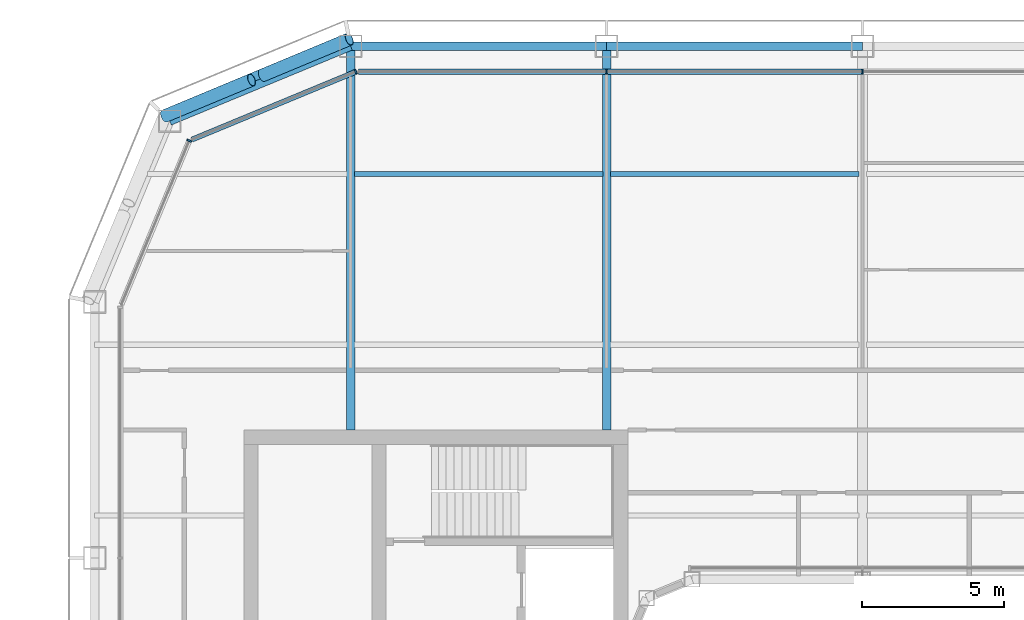
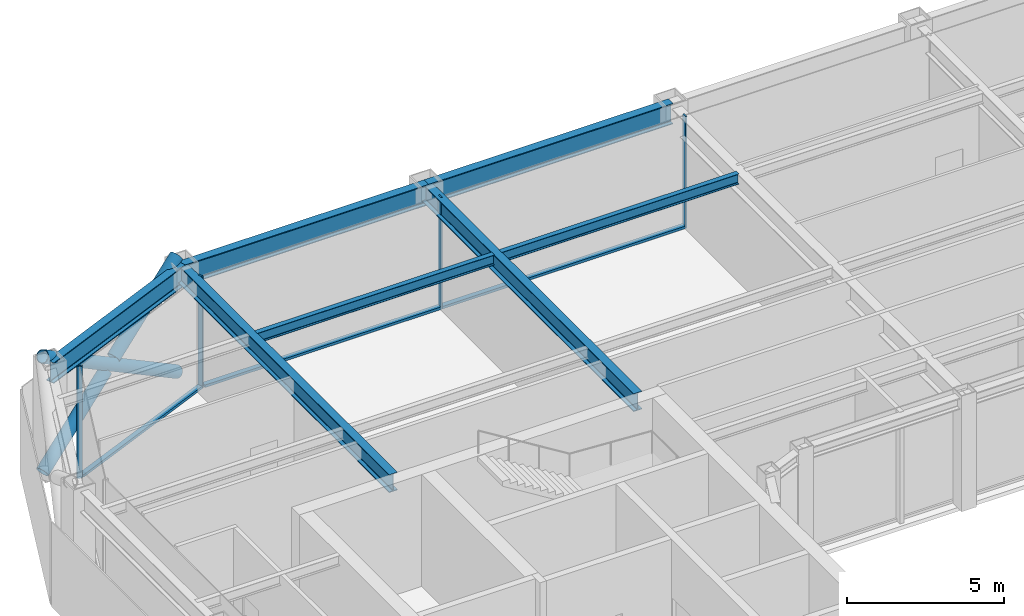
# One storey, part 8 of 23: 10 members, 7 beams, 3 elements without a shape of their own.
"""IFC4 building model written with IfcOpenShell, lengths in metres."""

import ifcopenshell
import ifcopenshell.guid

model = None  # the IFC model being written
_history = None  # IfcOwnerHistory: only IFC2X3 demands one
_inside = {}  # id of a spatial element -> (the spatial element, [elements in it])
_under = {}  # id of a project, library or spatial element -> (it, [spatial elements below it])
_declared = {}  # id of a project -> (the project, [libraries it declares])
_typed = {}  # id of a type object -> (the type object, [elements of that type])
_made_of = {}  # id of a material, layer set ... -> (it, [elements and type objects made of it])


def new_model(schema):
    """Start an empty IFC model of exactly this schema.

    Asked for "IFC4X3", IfcOpenShell would pick the latest addendum, in which some entities
    have other attributes; the version numbers below select the first issue.
    IFC2X3 requires an IfcOwnerHistory on every rooted entity: one is made here for all.
    """
    global model, _history
    if schema == "IFC4X3":
        model = ifcopenshell.file(schema_version=(4, 3, 0, 0))
    else:
        model = ifcopenshell.file(schema=schema)
    _inside.clear()
    _under.clear()
    _declared.clear()
    _typed.clear()
    _made_of.clear()
    _history = None
    if model.schema == "IFC2X3":
        org = make("IfcOrganization", Name="unknown")
        user = make(
            "IfcPersonAndOrganization",
            ThePerson=make("IfcPerson", FamilyName="unknown"),
            TheOrganization=org,
        )
        app = make(
            "IfcApplication",
            ApplicationDeveloper=org,
            Version="unknown",
            ApplicationFullName="unknown",
            ApplicationIdentifier="unknown",
        )
        _history = make(
            "IfcOwnerHistory",
            OwningUser=user,
            OwningApplication=app,
            ChangeAction="ADDED",
            CreationDate=0,
        )
    return model


def make(cls, **values):
    """One entity of the class cls with the attributes given. An attribute that is None is left unset."""
    return model.create_entity(
        cls, **{name: value for name, value in values.items() if value is not None}
    )


def rooted(cls, **values):
    """An entity with a GlobalId (a new one), such as an element, a storey or a relation."""
    return make(cls, GlobalId=ifcopenshell.guid.new(), OwnerHistory=_history, **values)


def si_unit(unit_type, name, prefix=None):
    """IfcSIUnit, for example si_unit("LENGTHUNIT", "METRE", prefix="MILLI")."""
    return make("IfcSIUnit", UnitType=unit_type, Prefix=prefix, Name=name)


def assignment(units):
    """IfcUnitAssignment: the units of a project."""
    return None if units is None else make("IfcUnitAssignment", Units=units)


def point(xyz):
    """IfcCartesianPoint."""
    return None if xyz is None else make("IfcCartesianPoint", Coordinates=xyz)


def direction(xyz):
    """IfcDirection."""
    return None if xyz is None else make("IfcDirection", DirectionRatios=xyz)


def frame(location, z_axis=None, x_axis=None):
    """IfcAxis2Placement3D, a coordinate frame: its origin and axes. An axis left out is left unset."""
    return make(
        "IfcAxis2Placement3D",
        Location=point(location),
        Axis=direction(z_axis),
        RefDirection=direction(x_axis),
    )


def frame_2d(location, x_axis=None):
    """IfcAxis2Placement2D, a coordinate frame in the plane: its origin and x axis."""
    return make(
        "IfcAxis2Placement2D", Location=point(location), RefDirection=direction(x_axis)
    )


def origin():
    """The frame at (0, 0, 0) with its axes left unset."""
    return frame((0.0, 0.0, 0.0))


def origin_2d():
    """The frame at (0, 0) in the plane with its x axis left unset."""
    return frame_2d((0.0, 0.0))


def place(relative_to, where):
    """IfcLocalPlacement: puts the frame where relative to a parent placement (None: the world)."""
    return make(
        "IfcLocalPlacement", PlacementRelTo=relative_to, RelativePlacement=where
    )


def context(
    kind, dimensions, precision=None, world=None, true_north=None, identifier=None
):
    """IfcGeometricRepresentationContext, for example the 3D "Model" context."""
    return make(
        "IfcGeometricRepresentationContext",
        ContextIdentifier=identifier,
        ContextType=kind,
        CoordinateSpaceDimension=dimensions,
        Precision=precision,
        WorldCoordinateSystem=world,
        TrueNorth=true_north,
    )


def subcontext(parent, identifier, kind, view, scale=None):
    """IfcGeometricRepresentationSubContext, for example "Body" below "Model"."""
    return make(
        "IfcGeometricRepresentationSubContext",
        ContextIdentifier=identifier,
        ContextType=kind,
        ParentContext=parent,
        TargetScale=scale,
        TargetView=view,
    )


def project(units=None, contexts=None):
    """IfcProject with its units and contexts."""
    return rooted(
        "IfcProject",
        Name="project",
        RepresentationContexts=contexts,
        UnitsInContext=assignment(units),
    )


def spatial(cls, under=None, at=None, **own):
    """A site, building, storey or space (cls), placed at a placement, below another one or the project."""
    s = rooted(cls, ObjectPlacement=at, **own)
    if under is not None:
        _under.setdefault(under.id(), (under, []))[1].append(s)
    return s


def profile(cls, at=None, kind="AREA", **sizes):
    """A parametric profile (cls). Its sizes go by their IFC names, for example OverallWidth=200.0."""
    return make(cls, ProfileType=kind, Position=at, **sizes)


def rectangle(**sizes):
    """IfcRectangleProfileDef."""
    return profile("IfcRectangleProfileDef", **sizes)


def hollow_circle(**sizes):
    """IfcCircleHollowProfileDef."""
    return profile("IfcCircleHollowProfileDef", **sizes)


def i_section(**sizes):
    """IfcIShapeProfileDef."""
    return profile("IfcIShapeProfileDef", **sizes)


def extrude(swept, where, along, depth):
    """IfcExtrudedAreaSolid: the profile swept, set in the frame where, extruded along a direction by depth."""
    return make(
        "IfcExtrudedAreaSolid",
        SweptArea=swept,
        Position=where,
        ExtrudedDirection=direction(along),
        Depth=depth,
    )


def shape(context_of_items, identifier, shape_type, items):
    """IfcShapeRepresentation: the items that make up one representation, for example the "Body"."""
    return make(
        "IfcShapeRepresentation",
        ContextOfItems=context_of_items,
        RepresentationIdentifier=identifier,
        RepresentationType=shape_type,
        Items=items,
    )


def material(Name=None, Category=None):
    """IfcMaterial."""
    return make("IfcMaterial", Name=Name, Category=Category)


def layer(
    of_material, thickness, ventilated=None, Name=None, Category=None, Priority=None
):
    """IfcMaterialLayer: one layer of a wall or slab, of a material (None: an air gap)."""
    return make(
        "IfcMaterialLayer",
        Material=of_material,
        LayerThickness=thickness,
        IsVentilated=ventilated,
        Name=Name,
        Category=Category,
        Priority=Priority,
    )


def layer_set(layers, Name=None):
    """IfcMaterialLayerSet."""
    return make("IfcMaterialLayerSet", MaterialLayers=layers, LayerSetName=Name)


def material_profile(
    of_material, cross_section, Name=None, Category=None, Priority=None
):
    """IfcMaterialProfile: a cross section and its material."""
    return make(
        "IfcMaterialProfile",
        Name=Name,
        Material=of_material,
        Profile=cross_section,
        Priority=Priority,
        Category=Category,
    )


def profile_set(profiles, Name=None, composite=None):
    """IfcMaterialProfileSet."""
    return make(
        "IfcMaterialProfileSet",
        Name=Name,
        MaterialProfiles=profiles,
        CompositeProfile=composite,
    )


def made_of(thing, what):
    """Note that an element or type object is made of a material, layer set ...; save() writes the relation."""
    if what is not None:
        _made_of.setdefault(what.id(), (what, []))[1].append(thing)
    return thing


def type_object(cls, material=None, **own):
    """A type object (cls), such as IfcWallType, which elements share."""
    return made_of(rooted(cls, **own), material)


def element(
    cls,
    number,
    at=None,
    inside=None,
    cuts=None,
    type_object=None,
    material=None,
    context=None,
    identifier="Body",
    shape_type=None,
    held_by="IfcProductDefinitionShape",
    body=None,
    shapes=None,
    **own,
):
    """One element of the class cls, such as IfcWall. Its Tag is "e" and its number.

    at: its placement. inside: the storey or other place that contains it. cuts: it is an
    opening in that element (IfcRelVoidsElement). A single representation is given by context,
    identifier, shape_type and body (its items); several are given by shapes. held_by: the class
    of the entity that holds the representations. save() writes the other relations.
    """
    e = rooted(cls, Tag="e%d" % number, ObjectPlacement=at, **own)
    if body is not None:
        shapes = [shape(context, identifier, shape_type, body)]
    if shapes is not None:
        e.Representation = make(held_by, Representations=shapes)
    if inside is not None:
        _inside.setdefault(inside.id(), (inside, []))[1].append(e)
    if cuts is not None:
        rooted(
            "IfcRelVoidsElement", RelatingBuildingElement=cuts, RelatedOpeningElement=e
        )
    if type_object is not None:
        _typed.setdefault(type_object.id(), (type_object, []))[1].append(e)
    return made_of(e, material)


def aggregate(whole, parts):
    """IfcRelAggregates: a whole, such as a stair, and the parts it consists of."""
    return rooted("IfcRelAggregates", RelatingObject=whole, RelatedObjects=parts)


def save(model, path):
    """Write the relations noted so far, then the file.

    IfcRelAggregates (storeys below a building ...), IfcRelContainedInSpatialStructure (elements
    in a storey), IfcRelDefinesByType, IfcRelAssociatesMaterial and IfcRelDeclares: one each for
    every whole, place, type object, material and project.
    """
    for whole, parts in _under.values():
        aggregate(whole, parts)
    for where, things in _inside.values():
        rooted(
            "IfcRelContainedInSpatialStructure",
            RelatedElements=things,
            RelatingStructure=where,
        )
    for kind, things in _typed.values():
        rooted("IfcRelDefinesByType", RelatedObjects=things, RelatingType=kind)
    for what, things in _made_of.values():
        rooted("IfcRelAssociatesMaterial", RelatedObjects=things, RelatingMaterial=what)
    for by, libraries in _declared.values():
        rooted("IfcRelDeclares", RelatingContext=by, RelatedDefinitions=libraries)
    model.write(path)


model = new_model("IFC4")

# Units and contexts
model_context = context("Model", 3, precision=1e-05, world=origin(), true_north=direction((0.0, 1.0)))
body_context = subcontext(model_context, "Body", "Model", "MODEL_VIEW")
ifc_project = project(units=[si_unit("LENGTHUNIT", "METRE"), si_unit("AREAUNIT", "SQUARE_METRE"), si_unit("VOLUMEUNIT", "CUBIC_METRE"), si_unit("PLANEANGLEUNIT", "RADIAN"), si_unit("MASSUNIT", "GRAM", prefix="KILO")], contexts=[model_context])

# Site, building, storey
site_placement = place(None, origin())
site = spatial("IfcSite", under=ifc_project, at=site_placement, CompositionType="ELEMENT")
building_placement = place(site_placement, origin())
building = spatial("IfcBuilding", under=site, at=building_placement, Name="Siwar Civic Tower", CompositionType="ELEMENT")
storey_placement = place(building_placement, frame((0.0, 0.0, 269.199951171875)))
storey = spatial("IfcBuildingStorey", under=building, at=storey_placement, Name="L58", CompositionType="ELEMENT", Elevation=269.199951171875)

# Curtain wall, members
ifc_material_1 = material(Name="Aluminium and glass", Category="aluminium")
ifc_layer_1 = layer(ifc_material_1, 0.179931640625)
ifc_layer_set_1 = layer_set([ifc_layer_1], Name="Aluminium and glass")
curtain_wall_type_1 = type_object("IfcCurtainWallType", Name="ENV-CW-C", PredefinedType="NOTDEFINED", material=ifc_layer_set_1)
curtain_wall_1_placement = place(storey_placement, origin())
curtain_wall_1 = element("IfcCurtainWall", 1, at=curtain_wall_1_placement, inside=storey, type_object=curtain_wall_type_1, Name="Curtain wall C N", PredefinedType="NOTDEFINED")
ifc_material_2 = material(Name="Aluminium 6063-T6", Category="aluminium")
ifc_material_profile_1 = material_profile(ifc_material_2, rectangle(XDim=0.179931640625, YDim=0.06005859375, at=origin_2d()), Name="AL 180x60")
ifc_profile_set_1 = profile_set([ifc_material_profile_1], Name="Aluminium 6063-T6")
member_type_1 = type_object("IfcMemberType", Name="ENV-MULLION-C", PredefinedType="MULLION", material=ifc_profile_set_1)
member_1_placement = place(storey_placement, frame((0.0, 26.10009765625, 0.0), z_axis=(0.0, 0.0, 1.0), x_axis=(0.0, -1.0, 0.0)))
member_1 = element("IfcMember", 2, at=member_1_placement, type_object=member_type_1, Name="Mullion C N 3", PredefinedType="MULLION", context=body_context, shape_type="SweptSolid", body=[
    extrude(rectangle(XDim=0.179931640625, YDim=0.06005859375, at=origin_2d()), origin(), (0.0, 0.0, 1.0), 4.35009765625),
])
member_2_placement = place(storey_placement, frame((-9.0, 26.10009765625, 0.0), z_axis=(0.0, 0.0, 1.0), x_axis=(0.0, -1.0, 0.0)))
member_2 = element("IfcMember", 3, at=member_2_placement, type_object=member_type_1, Name="Mullion C N 4", PredefinedType="MULLION", context=body_context, shape_type="SweptSolid", body=[
    extrude(rectangle(XDim=0.179931640625, YDim=0.06005859375, at=origin_2d()), origin(), (0.0, 0.0, 1.0), 4.35009765625),
])

# Curtain wall, member
ifc_material_3 = material(Name="Aluminium clad insulated panel", Category="aluminium")
ifc_layer_2 = layer(ifc_material_3, 0.179931640625)
ifc_layer_set_2 = layer_set([ifc_layer_2], Name="Aluminium clad insulated panel")
curtain_wall_type_2 = type_object("IfcCurtainWallType", Name="ENV-CW-CX", PredefinedType="NOTDEFINED", material=ifc_layer_set_2)
curtain_wall_2_placement = place(storey_placement, origin())
curtain_wall_2 = element("IfcCurtainWall", 4, at=curtain_wall_2_placement, inside=storey, type_object=curtain_wall_type_2, Name="Curtain wall C NW1", PredefinedType="NOTDEFINED")
member_3_placement = place(storey_placement, frame((-17.821044921875, 26.10009765625, 0.0), z_axis=(0.0, 0.0, 1.0), x_axis=(0.382683432365, -0.923879532511, 0.0)))
member_3 = element("IfcMember", 5, at=member_3_placement, type_object=member_type_1, Name="Mullion C NW1 1", PredefinedType="MULLION", context=body_context, shape_type="SweptSolid", body=[
    extrude(rectangle(XDim=0.179931640625, YDim=0.06005859375, at=origin_2d()), origin(), (0.0, 0.0, 1.0), 4.35009765625),
])

curtain_wall_3_placement = place(storey_placement, origin())
curtain_wall_3 = element("IfcCurtainWall", 6, at=curtain_wall_3_placement, inside=storey, type_object=curtain_wall_type_2, Name="Curtain wall C NW2", PredefinedType="NOTDEFINED")
member_4_placement = place(storey_placement, frame((-23.675048828125, 23.675048828125, 0.0), z_axis=(0.0, 0.0, 1.0), x_axis=(0.923879532511, -0.382683432365, 0.0)))
member_4 = element("IfcMember", 7, at=member_4_placement, type_object=member_type_1, Name="Mullion C NW2 1", PredefinedType="MULLION", context=body_context, shape_type="SweptSolid", body=[
    extrude(rectangle(XDim=0.179931640625, YDim=0.06005859375, at=origin_2d()), origin(), (0.0, 0.0, 1.0), 4.35009765625),
])
aggregate(curtain_wall_3, [member_4])

# Member
ifc_material_4 = material(Name="Aluminium 6063-T6", Category="aluminium")
ifc_material_profile_2 = material_profile(ifc_material_4, rectangle(XDim=0.179931640625, YDim=0.10009765625, at=origin_2d()), Name="AL 180x100")
ifc_profile_set_2 = profile_set([ifc_material_profile_2], Name="Aluminium 6063-T6")
member_type_2 = type_object("IfcMemberType", Name="ENV-TRANSOM-C", PredefinedType="USERDEFINED", material=ifc_profile_set_2)
member_5_placement = place(storey_placement, frame((-0.030029296875, 26.10009765625, 0.050048828125), z_axis=(-1.0, 0.0, 0.0), x_axis=(0.0, -1.0, 0.0)))
member_5 = element("IfcMember", 8, at=member_5_placement, type_object=member_type_2, Name="Transom C N 3", ObjectType="TRANSOM", PredefinedType="USERDEFINED", context=body_context, shape_type="SweptSolid", body=[
    extrude(rectangle(XDim=0.179931640625, YDim=0.10009765625, at=origin_2d()), origin(), (0.0, 0.0, 1.0), 8.93994140625),
])

member_6_placement = place(storey_placement, frame((-9.030029296875, 26.10009765625, 0.050048828125), z_axis=(-1.0, 0.0, 0.0), x_axis=(0.0, -1.0, 0.0)))
member_6 = element("IfcMember", 9, at=member_6_placement, type_object=member_type_2, Name="Transom C N 4", ObjectType="TRANSOM", PredefinedType="USERDEFINED", context=body_context, shape_type="SweptSolid", body=[
    extrude(rectangle(XDim=0.179931640625, YDim=0.10009765625, at=origin_2d()), origin(), (0.0, 0.0, 1.0), 8.68603515625),
])

aggregate(curtain_wall_1, [member_1, member_2, member_5, member_6])

member_7_placement = place(storey_placement, frame((-17.8486328125, 26.088623046875, 0.050048828125), z_axis=(-0.923882011223, -0.38267744817, 0.0), x_axis=(0.38267744817, -0.923882011223, 0.0)))
member_7 = element("IfcMember", 10, at=member_7_placement, type_object=member_type_2, Name="Transom C NW1 1", ObjectType="TRANSOM", PredefinedType="USERDEFINED", context=body_context, shape_type="SweptSolid", body=[
    extrude(rectangle(XDim=0.179931640625, YDim=0.10009765625, at=origin_2d()), origin(), (0.0, 0.0, 1.0), 6.201904296875),
])

aggregate(curtain_wall_2, [member_3, member_7])

# Members
ifc_material_5 = material(Name="Steel S355", Category="steel")
ifc_material_profile_3 = material_profile(ifc_material_5, hollow_circle(Radius=0.228515625, WallThickness=0.02001953125, at=origin_2d()), Name="CHS457x20")
ifc_profile_set_3 = profile_set([ifc_material_profile_3], Name="Steel S355")
member_type_3 = type_object("IfcMemberType", Name="STR-BR-CHS457x20", PredefinedType="BRACE", material=ifc_profile_set_3)
member_8_placement = place(storey_placement, frame((-18.048828125, 27.2451171875, 0.0), z_axis=(-0.777554562952, -0.323905527954, 0.538975055633), x_axis=(0.384538969033, -0.923108759191, 0.0)))
element("IfcMember", 11, at=member_8_placement, inside=storey, type_object=member_type_3, Name="L58/brc/CNW1-18-0-0", PredefinedType="BRACE", context=body_context, shape_type="SweptSolid", body=[
    extrude(hollow_circle(Radius=0.228515625, WallThickness=0.02001953125, at=origin_2d()), origin(), (0.0, 0.0, 1.0), 8.34912109375),
])
for number, where, z_axis, x_axis, name in (
    (12, (-24.540771484375, 24.540771484375, 0.0), (0.777546448489, 0.323884455881, 0.538999424564), (-0.38452107079, 0.92311621485, 0.0), "L58/brc/CNW1-18-0-4"),
    (13, (-21.10302734375, 25.972900390625, 2.383056640625), (0.777572496853, 0.323895306243, 0.538955325357), (-0.38452107079, 0.92311621485, 0.0), "L58/brc/CNW1-18-0-5"),
):
    element("IfcMember", number, at=place(storey_placement, frame(where, z_axis=z_axis, x_axis=x_axis)), inside=storey, type_object=member_type_3, Name=name, PredefinedType="BRACE", context=body_context, shape_type="SweptSolid", body=[
        extrude(hollow_circle(Radius=0.228515625, WallThickness=0.02001953125, at=origin_2d()), origin(), (0.0, 0.0, 1.0), 3.927978515625),
    ])

# Beams
ifc_material_6 = material(Name="Steel S355", Category="steel")
ifc_material_profile_4 = material_profile(ifc_material_6, i_section(OverallWidth=0.179931640625, OverallDepth=0.39990234375, WebThickness=0.008544921875, FlangeThickness=0.013427734375, FilletRadius=0.02099609375, at=origin_2d()), Name="IPE400")
ifc_profile_set_4 = profile_set([ifc_material_profile_4], Name="Steel S355")
beam_type_1 = type_object("IfcBeamType", Name="STR-FB-IPE400", PredefinedType="JOIST", material=ifc_profile_set_4)
for number, where, z_axis, x_axis, name in (
    (14, (-17.8701171875, 22.5, 4.150146484375), (1.0, 0.0, 0.0), (0.0, 1.0, 0.0), "L58/bm/F038"),
    (15, (-8.8701171875, 22.5, 4.150146484375), (1.0, 0.0, 0.0), (0.0, 1.0, 0.0), "L58/bm/F039"),
):
    element("IfcBeam", number, at=place(storey_placement, frame(where, z_axis=z_axis, x_axis=x_axis)), inside=storey, type_object=beam_type_1, Name=name, PredefinedType="JOIST", context=body_context, shape_type="SweptSolid", body=[
        extrude(i_section(OverallWidth=0.179931640625, OverallDepth=0.39990234375, WebThickness=0.008544921875, FlangeThickness=0.013427734375, FilletRadius=0.02099609375, at=origin_2d()), origin(), (0.0, 0.0, 1.0), 8.740234375),
    ])
ifc_material_7 = material(Name="Steel S355", Category="steel")
ifc_material_profile_5 = material_profile(ifc_material_7, i_section(OverallWidth=0.300048828125, OverallDepth=0.699951171875, WebThickness=0.01708984375, FlangeThickness=0.031982421875, FilletRadius=0.027099609375, at=origin_2d()), Name="HEB700")
ifc_profile_set_5 = profile_set([ifc_material_profile_5], Name="Steel S355")
beam_type_2 = type_object("IfcBeamType", Name="STR-PG-HEB700", PredefinedType="BEAM", material=ifc_profile_set_5)
for number, where, z_axis, x_axis, name in (
    (16, (-18.0, 13.5, 4.0), (0.0, 1.0, 0.0), (-1.0, 0.0, 0.0), "L58/bm/G02"),
    (17, (-9.0, 13.5, 4.0), (0.0, 1.0, 0.0), (-1.0, 0.0, 0.0), "L58/bm/G04"),
):
    element("IfcBeam", number, at=place(storey_placement, frame(where, z_axis=z_axis, x_axis=x_axis)), inside=storey, type_object=beam_type_2, Name=name, PredefinedType="BEAM", context=body_context, shape_type="SweptSolid", body=[
        extrude(i_section(OverallWidth=0.300048828125, OverallDepth=0.699951171875, WebThickness=0.01708984375, FlangeThickness=0.031982421875, FilletRadius=0.027099609375, at=origin_2d()), origin(), (0.0, 0.0, 1.0), 13.5),
    ])
ifc_material_8 = material(Name="Steel S355", Category="steel")
ifc_material_profile_6 = material_profile(ifc_material_8, i_section(OverallWidth=0.300048828125, OverallDepth=0.800048828125, WebThickness=0.017578125, FlangeThickness=0.032958984375, FilletRadius=0.030029296875, at=origin_2d()), Name="HEB800")
ifc_profile_set_6 = profile_set([ifc_material_profile_6], Name="Steel S355")
beam_type_3 = type_object("IfcBeamType", Name="STR-SB-HEB800", PredefinedType="BEAM", material=ifc_profile_set_6)
for number, where, z_axis, x_axis, name in (
    (18, (0.0, 27.0, 3.949951171875), (-1.0, 0.0, 0.0), (0.0, -1.0, 0.0), "L58/bm/SN-2"),
    (19, (-9.0, 27.0, 3.949951171875), (-1.0, 0.0, 0.0), (0.0, -1.0, 0.0), "L58/bm/SN-3"),
):
    element("IfcBeam", number, at=place(storey_placement, frame(where, z_axis=z_axis, x_axis=x_axis)), inside=storey, type_object=beam_type_3, Name=name, PredefinedType="BEAM", context=body_context, shape_type="SweptSolid", body=[
        extrude(i_section(OverallWidth=0.300048828125, OverallDepth=0.800048828125, WebThickness=0.017578125, FlangeThickness=0.032958984375, FilletRadius=0.030029296875, at=origin_2d()), origin(), (0.0, 0.0, 1.0), 9.0),
    ])
beam_placement = place(storey_placement, frame((-18.0, 27.0, 3.949951171875), z_axis=(-0.923883353507, -0.382674207535, 0.0), x_axis=(0.382674207535, -0.923883353507, 0.0)))
element("IfcBeam", 20, at=beam_placement, inside=storey, type_object=beam_type_3, Name="L58/bm/SNW1-0", PredefinedType="BEAM", context=body_context, shape_type="SweptSolid", body=[
    extrude(i_section(OverallWidth=0.300048828125, OverallDepth=0.800048828125, WebThickness=0.017578125, FlangeThickness=0.032958984375, FilletRadius=0.030029296875, at=origin_2d()), origin(), (0.0, 0.0, 1.0), 6.888427734375),
])

save(model, "model.ifc")
